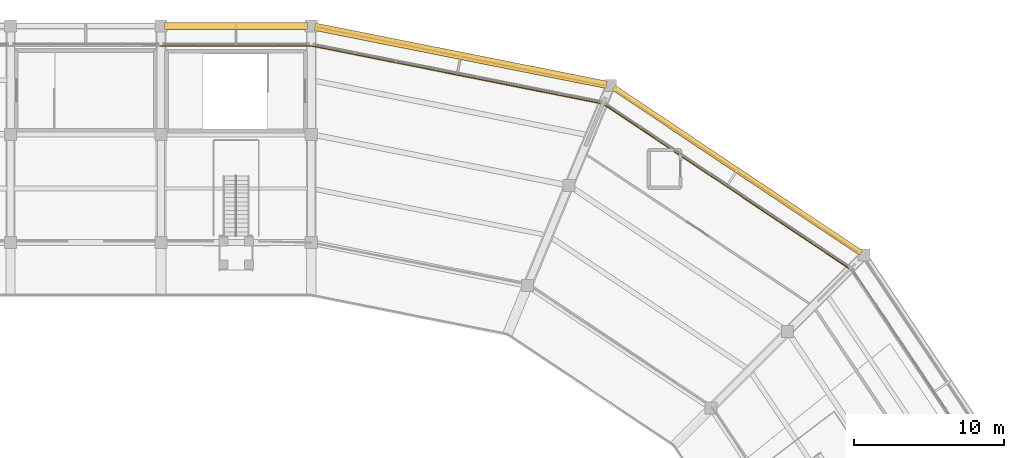
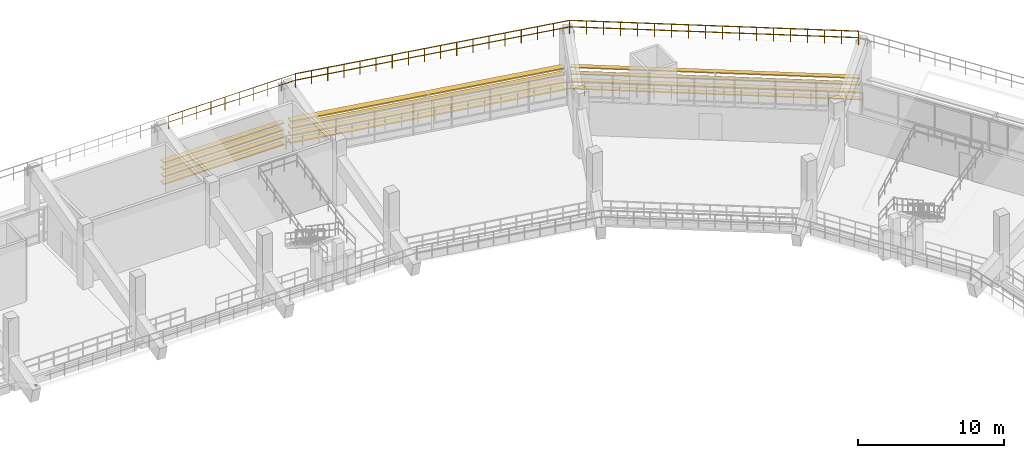
# One storey, part 96 of 96: 12 shading devices, 5 railings.
"""IFC4 building model written with IfcOpenShell, lengths in metres."""

from ifc_helpers import new_model, si_unit, direction, frame, origin, origin_2d, place, context, subcontext, project, spatial, rectangle, circle, extrude, material, layer, layer_set, type_object, element, save


model = new_model("IFC4")

# Units and contexts
model_context = context("Model", 3, precision=1e-05, world=origin(), true_north=direction((0.0, 1.0)))
body_context = subcontext(model_context, "Body", "Model", "MODEL_VIEW")
ifc_project = project(units=[si_unit("LENGTHUNIT", "METRE"), si_unit("AREAUNIT", "SQUARE_METRE"), si_unit("VOLUMEUNIT", "CUBIC_METRE"), si_unit("PLANEANGLEUNIT", "RADIAN"), si_unit("MASSUNIT", "GRAM", prefix="KILO")], contexts=[model_context])

# Site, building, storey
site_placement = place(None, origin())
site = spatial("IfcSite", under=ifc_project, at=site_placement, CompositionType="ELEMENT")
building_placement = place(site_placement, origin())
building = spatial("IfcBuilding", under=site, at=building_placement, Name="Candeia Ridge Stadium", CompositionType="ELEMENT")
storey_placement = place(building_placement, frame((0.0, 0.0, 21.60009765625)))
storey = spatial("IfcBuildingStorey", under=building, at=storey_placement, Name="L04", CompositionType="ELEMENT", Elevation=21.60009765625)

# Railings
ifc_material_1 = material(Name="Galvanized Powder-Coated Steel", Category="steel")
ifc_layer = layer(ifc_material_1, 0.074951171875, Name="Galvanized Powder-Coated Steel", Category="steel")
ifc_layer_set = layer_set([ifc_layer], Name="Galvanized Powder-Coated Steel")
railing_type = type_object("IfcRailingType", Name="Spectator Bowl Front Guardrail 1120", PredefinedType="GUARDRAIL", material=ifc_layer_set)
railing_1_placement = place(storey_placement, frame((141.0, 145.679931640625, 6.0)))
element("IfcRailing", 1, at=railing_1_placement, inside=storey, type_object=railing_type, Name="Stand T3 rear safety guardrail bay 01", PredefinedType="GUARDRAIL", context=body_context, shape_type="SweptSolid", body=[
    extrude(circle(Radius=0.02392578125, at=origin_2d()), frame((0.0, 0.0, 1.09619140625), z_axis=(-1.0, 0.0, 0.0), x_axis=(0.0, -1.0, 0.0)), (0.0, 0.0, 1.0), 10.0),
    extrude(circle(Radius=0.02392578125, at=origin_2d()), frame((0.0, 0.0, 0.56005859375), z_axis=(-1.0, 0.0, 0.0), x_axis=(0.0, -1.0, 0.0)), (0.0, 0.0, 1.0), 10.0),
    extrude(circle(Radius=0.02099609375, at=origin_2d()), origin(), (0.0, 0.0, 1.0), 1.072021484375),
    extrude(circle(Radius=0.02099609375, at=origin_2d()), frame((-1.111083984375, 0.0, 0.0)), (0.0, 0.0, 1.0), 1.072021484375),
    extrude(circle(Radius=0.02099609375, at=origin_2d()), frame((-2.22216796875, 0.0, 0.0)), (0.0, 0.0, 1.0), 1.072021484375),
    extrude(circle(Radius=0.02099609375, at=origin_2d()), frame((-3.333251953125, 0.0, 0.0)), (0.0, 0.0, 1.0), 1.072021484375),
    extrude(circle(Radius=0.02099609375, at=origin_2d()), frame((-4.4443359375, 0.0, 0.0)), (0.0, 0.0, 1.0), 1.072021484375),
    extrude(circle(Radius=0.02099609375, at=origin_2d()), frame((-5.5556640625, 0.0, 0.0)), (0.0, 0.0, 1.0), 1.072021484375),
    extrude(circle(Radius=0.02099609375, at=origin_2d()), frame((-6.666748046875, 0.0, 0.0)), (0.0, 0.0, 1.0), 1.072021484375),
    extrude(circle(Radius=0.02099609375, at=origin_2d()), frame((-7.77783203125, 0.0, 0.0)), (0.0, 0.0, 1.0), 1.072021484375),
    extrude(circle(Radius=0.02099609375, at=origin_2d()), frame((-8.888916015625, 0.0, 0.0)), (0.0, 0.0, 1.0), 1.072021484375),
    extrude(circle(Radius=0.02099609375, at=origin_2d()), frame((-10.0, 0.0, 0.0)), (0.0, 0.0, 1.0), 1.072021484375),
])
railing_2_placement = place(storey_placement, frame((176.836181640625, 130.836181640625, 6.0)))
element("IfcRailing", 2, at=railing_2_placement, inside=storey, type_object=railing_type, Name="Stand T3 rear safety guardrail bay 35", PredefinedType="GUARDRAIL", context=body_context, shape_type="SweptSolid", body=[
    extrude(circle(Radius=0.02392578125, at=origin_2d()), frame((0.0, 0.0, 1.09619140625), z_axis=(-0.831470516544, 0.555568879725, 0.0), x_axis=(-0.555568879725, -0.831470516544, 0.0)), (0.0, 0.0, 1.0), 19.7744140625),
    extrude(circle(Radius=0.02392578125, at=origin_2d()), frame((0.0, 0.0, 0.56005859375), z_axis=(-0.831470516544, 0.555568879725, 0.0), x_axis=(-0.555568879725, -0.831470516544, 0.0)), (0.0, 0.0, 1.0), 19.7744140625),
    extrude(circle(Radius=0.02099609375, at=origin_2d()), origin(), (0.0, 0.0, 1.0), 1.072021484375),
    extrude(circle(Radius=0.02099609375, at=origin_2d()), frame((-0.96728515625, 0.646240234375, 0.0)), (0.0, 0.0, 1.0), 1.072021484375),
    extrude(circle(Radius=0.02099609375, at=origin_2d()), frame((-1.934326171875, 1.29248046875, 0.0)), (0.0, 0.0, 1.0), 1.072021484375),
    extrude(circle(Radius=0.02099609375, at=origin_2d()), frame((-2.901611328125, 1.938720703125, 0.0)), (0.0, 0.0, 1.0), 1.072021484375),
    extrude(circle(Radius=0.02099609375, at=origin_2d()), frame((-3.86865234375, 2.5849609375, 0.0)), (0.0, 0.0, 1.0), 1.072021484375),
    extrude(circle(Radius=0.02099609375, at=origin_2d()), frame((-4.8359375, 3.231201171875, 0.0)), (0.0, 0.0, 1.0), 1.072021484375),
    extrude(circle(Radius=0.02099609375, at=origin_2d()), frame((-5.802978515625, 3.87744140625, 0.0)), (0.0, 0.0, 1.0), 1.072021484375),
    extrude(circle(Radius=0.02099609375, at=origin_2d()), frame((-6.770263671875, 4.523681640625, 0.0)), (0.0, 0.0, 1.0), 1.072021484375),
    extrude(circle(Radius=0.02099609375, at=origin_2d()), frame((-7.7373046875, 5.169921875, 0.0)), (0.0, 0.0, 1.0), 1.072021484375),
    extrude(circle(Radius=0.02099609375, at=origin_2d()), frame((-8.70458984375, 5.816162109375, 0.0)), (0.0, 0.0, 1.0), 1.072021484375),
    extrude(circle(Radius=0.02099609375, at=origin_2d()), frame((-9.671630859375, 6.46240234375, 0.0)), (0.0, 0.0, 1.0), 1.072021484375),
    extrude(circle(Radius=0.02099609375, at=origin_2d()), frame((-10.638916015625, 7.108642578125, 0.0)), (0.0, 0.0, 1.0), 1.072021484375),
    extrude(circle(Radius=0.02099609375, at=origin_2d()), frame((-11.60595703125, 7.7548828125, 0.0)), (0.0, 0.0, 1.0), 1.072021484375),
    extrude(circle(Radius=0.02099609375, at=origin_2d()), frame((-12.5732421875, 8.401123046875, 0.0)), (0.0, 0.0, 1.0), 1.072021484375),
    extrude(circle(Radius=0.02099609375, at=origin_2d()), frame((-13.540283203125, 9.04736328125, 0.0)), (0.0, 0.0, 1.0), 1.072021484375),
    extrude(circle(Radius=0.02099609375, at=origin_2d()), frame((-14.507568359375, 9.693603515625, 0.0)), (0.0, 0.0, 1.0), 1.072021484375),
    extrude(circle(Radius=0.02099609375, at=origin_2d()), frame((-15.474609375, 10.33984375, 0.0)), (0.0, 0.0, 1.0), 1.072021484375),
    extrude(circle(Radius=0.02099609375, at=origin_2d()), frame((-16.44189453125, 10.986083984375, 0.0)), (0.0, 0.0, 1.0), 1.072021484375),
])
railing_3_placement = place(storey_placement, frame((160.394287109375, 141.822265625, 6.0)))
element("IfcRailing", 3, at=railing_3_placement, inside=storey, type_object=railing_type, Name="Stand T3 rear safety guardrail bay 36", PredefinedType="GUARDRAIL", context=body_context, shape_type="SweptSolid", body=[
    extrude(circle(Radius=0.02392578125, at=origin_2d()), frame((0.0, 0.0, 1.09619140625), z_axis=(-0.980786224287, 0.195085576731, 0.0), x_axis=(-0.195085576731, -0.980786224287, 0.0)), (0.0, 0.0, 1.0), 19.774169921875),
    extrude(circle(Radius=0.02392578125, at=origin_2d()), frame((0.0, 0.0, 0.56005859375), z_axis=(-0.980786224287, 0.195085576731, 0.0), x_axis=(-0.195085576731, -0.980786224287, 0.0)), (0.0, 0.0, 1.0), 19.774169921875),
    extrude(circle(Radius=0.02099609375, at=origin_2d()), origin(), (0.0, 0.0, 1.0), 1.072021484375),
    extrude(circle(Radius=0.02099609375, at=origin_2d()), frame((-1.140869140625, 0.226806640625, 0.0)), (0.0, 0.0, 1.0), 1.072021484375),
    extrude(circle(Radius=0.02099609375, at=origin_2d()), frame((-2.28173828125, 0.453857421875, 0.0)), (0.0, 0.0, 1.0), 1.072021484375),
    extrude(circle(Radius=0.02099609375, at=origin_2d()), frame((-3.422607421875, 0.6806640625, 0.0)), (0.0, 0.0, 1.0), 1.072021484375),
    extrude(circle(Radius=0.02099609375, at=origin_2d()), frame((-4.5634765625, 0.90771484375, 0.0)), (0.0, 0.0, 1.0), 1.072021484375),
    extrude(circle(Radius=0.02099609375, at=origin_2d()), frame((-5.7041015625, 1.134521484375, 0.0)), (0.0, 0.0, 1.0), 1.072021484375),
    extrude(circle(Radius=0.02099609375, at=origin_2d()), frame((-6.844970703125, 1.361572265625, 0.0)), (0.0, 0.0, 1.0), 1.072021484375),
    extrude(circle(Radius=0.02099609375, at=origin_2d()), frame((-7.98583984375, 1.58837890625, 0.0)), (0.0, 0.0, 1.0), 1.072021484375),
    extrude(circle(Radius=0.02099609375, at=origin_2d()), frame((-9.126708984375, 1.8154296875, 0.0)), (0.0, 0.0, 1.0), 1.072021484375),
    extrude(circle(Radius=0.02099609375, at=origin_2d()), frame((-10.267578125, 2.042236328125, 0.0)), (0.0, 0.0, 1.0), 1.072021484375),
    extrude(circle(Radius=0.02099609375, at=origin_2d()), frame((-11.408447265625, 2.269287109375, 0.0)), (0.0, 0.0, 1.0), 1.072021484375),
    extrude(circle(Radius=0.02099609375, at=origin_2d()), frame((-12.54931640625, 2.49609375, 0.0)), (0.0, 0.0, 1.0), 1.072021484375),
    extrude(circle(Radius=0.02099609375, at=origin_2d()), frame((-13.690185546875, 2.72314453125, 0.0)), (0.0, 0.0, 1.0), 1.072021484375),
    extrude(circle(Radius=0.02099609375, at=origin_2d()), frame((-14.830810546875, 2.949951171875, 0.0)), (0.0, 0.0, 1.0), 1.072021484375),
    extrude(circle(Radius=0.02099609375, at=origin_2d()), frame((-15.9716796875, 3.177001953125, 0.0)), (0.0, 0.0, 1.0), 1.072021484375),
    extrude(circle(Radius=0.02099609375, at=origin_2d()), frame((-17.112548828125, 3.40380859375, 0.0)), (0.0, 0.0, 1.0), 1.072021484375),
    extrude(circle(Radius=0.02099609375, at=origin_2d()), frame((-18.25341796875, 3.630859375, 0.0)), (0.0, 0.0, 1.0), 1.072021484375),
    extrude(circle(Radius=0.02099609375, at=origin_2d()), frame((-19.394287109375, 3.857666015625, 0.0)), (0.0, 0.0, 1.0), 1.072021484375),
])
railing_4_placement = place(storey_placement, frame((141.0, 147.0, 0.0)))
element("IfcRailing", 4, at=railing_4_placement, inside=storey, type_object=railing_type, Name="Deck edge safety guardrail GR-DE-L04-0194", PredefinedType="GUARDRAIL", context=body_context, shape_type="SweptSolid", body=[
    extrude(circle(Radius=0.02392578125, at=origin_2d()), frame((0.0, 0.0, 1.09619140625), z_axis=(0.980065630678, -0.198674003238, 0.0), x_axis=(0.198674003238, 0.980065630678, 0.0)), (0.0, 0.0, 1.0), 20.2587890625),
    extrude(circle(Radius=0.02392578125, at=origin_2d()), frame((0.0, 0.0, 0.56005859375), z_axis=(0.980065630678, -0.198674003238, 0.0), x_axis=(0.198674003238, 0.980065630678, 0.0)), (0.0, 0.0, 1.0), 20.2587890625),
    extrude(circle(Radius=0.02099609375, at=origin_2d()), origin(), (0.0, 0.0, 1.0), 1.072021484375),
    extrude(circle(Radius=0.02099609375, at=origin_2d()), frame((1.16796875, -0.23681640625, 0.0)), (0.0, 0.0, 1.0), 1.072021484375),
    extrude(circle(Radius=0.02099609375, at=origin_2d()), frame((2.3359375, -0.4736328125, 0.0)), (0.0, 0.0, 1.0), 1.072021484375),
    extrude(circle(Radius=0.02099609375, at=origin_2d()), frame((3.50390625, -0.710205078125, 0.0)), (0.0, 0.0, 1.0), 1.072021484375),
    extrude(circle(Radius=0.02099609375, at=origin_2d()), frame((4.671875, -0.947021484375, 0.0)), (0.0, 0.0, 1.0), 1.072021484375),
    extrude(circle(Radius=0.02099609375, at=origin_2d()), frame((5.839599609375, -1.183837890625, 0.0)), (0.0, 0.0, 1.0), 1.072021484375),
    extrude(circle(Radius=0.02099609375, at=origin_2d()), frame((7.007568359375, -1.420654296875, 0.0)), (0.0, 0.0, 1.0), 1.072021484375),
    extrude(circle(Radius=0.02099609375, at=origin_2d()), frame((8.175537109375, -1.6572265625, 0.0)), (0.0, 0.0, 1.0), 1.072021484375),
    extrude(circle(Radius=0.02099609375, at=origin_2d()), frame((9.343505859375, -1.89404296875, 0.0)), (0.0, 0.0, 1.0), 1.072021484375),
    extrude(circle(Radius=0.02099609375, at=origin_2d()), frame((10.511474609375, -2.130859375, 0.0)), (0.0, 0.0, 1.0), 1.072021484375),
    extrude(circle(Radius=0.02099609375, at=origin_2d()), frame((11.679443359375, -2.36767578125, 0.0)), (0.0, 0.0, 1.0), 1.072021484375),
    extrude(circle(Radius=0.02099609375, at=origin_2d()), frame((12.847412109375, -2.604248046875, 0.0)), (0.0, 0.0, 1.0), 1.072021484375),
    extrude(circle(Radius=0.02099609375, at=origin_2d()), frame((14.015380859375, -2.841064453125, 0.0)), (0.0, 0.0, 1.0), 1.072021484375),
    extrude(circle(Radius=0.02099609375, at=origin_2d()), frame((15.18310546875, -3.077880859375, 0.0)), (0.0, 0.0, 1.0), 1.072021484375),
    extrude(circle(Radius=0.02099609375, at=origin_2d()), frame((16.35107421875, -3.314697265625, 0.0)), (0.0, 0.0, 1.0), 1.072021484375),
    extrude(circle(Radius=0.02099609375, at=origin_2d()), frame((17.51904296875, -3.55126953125, 0.0)), (0.0, 0.0, 1.0), 1.072021484375),
    extrude(circle(Radius=0.02099609375, at=origin_2d()), frame((18.68701171875, -3.7880859375, 0.0)), (0.0, 0.0, 1.0), 1.072021484375),
    extrude(circle(Radius=0.02099609375, at=origin_2d()), frame((19.85498046875, -4.02490234375, 0.0)), (0.0, 0.0, 1.0), 1.072021484375),
])
railing_5_placement = place(storey_placement, frame((160.85498046875, 142.97509765625, 0.0)))
element("IfcRailing", 5, at=railing_5_placement, inside=storey, type_object=railing_type, Name="Deck edge safety guardrail GR-DE-L04-0195", PredefinedType="GUARDRAIL", context=body_context, shape_type="SweptSolid", body=[
    extrude(circle(Radius=0.02392578125, at=origin_2d()), frame((0.0, 0.0, 1.09619140625), z_axis=(0.831642188082, -0.555311868234, 0.0), x_axis=(0.555311868234, 0.831642188082, 0.0)), (0.0, 0.0, 1.0), 20.2587890625),
    extrude(circle(Radius=0.02392578125, at=origin_2d()), frame((0.0, 0.0, 0.56005859375), z_axis=(0.831642188082, -0.555311868234, 0.0), x_axis=(0.555311868234, 0.831642188082, 0.0)), (0.0, 0.0, 1.0), 20.2587890625),
    extrude(circle(Radius=0.02099609375, at=origin_2d()), origin(), (0.0, 0.0, 1.0), 1.072021484375),
    extrude(circle(Radius=0.02099609375, at=origin_2d()), frame((0.990966796875, -0.661865234375, 0.0)), (0.0, 0.0, 1.0), 1.072021484375),
    extrude(circle(Radius=0.02099609375, at=origin_2d()), frame((1.982177734375, -1.323486328125, 0.0)), (0.0, 0.0, 1.0), 1.072021484375),
    extrude(circle(Radius=0.02099609375, at=origin_2d()), frame((2.97314453125, -1.9853515625, 0.0)), (0.0, 0.0, 1.0), 1.072021484375),
    extrude(circle(Radius=0.02099609375, at=origin_2d()), frame((3.96435546875, -2.64697265625, 0.0)), (0.0, 0.0, 1.0), 1.072021484375),
    extrude(circle(Radius=0.02099609375, at=origin_2d()), frame((4.955322265625, -3.308837890625, 0.0)), (0.0, 0.0, 1.0), 1.072021484375),
    extrude(circle(Radius=0.02099609375, at=origin_2d()), frame((5.9462890625, -3.970703125, 0.0)), (0.0, 0.0, 1.0), 1.072021484375),
    extrude(circle(Radius=0.02099609375, at=origin_2d()), frame((6.9375, -4.63232421875, 0.0)), (0.0, 0.0, 1.0), 1.072021484375),
    extrude(circle(Radius=0.02099609375, at=origin_2d()), frame((7.928466796875, -5.294189453125, 0.0)), (0.0, 0.0, 1.0), 1.072021484375),
    extrude(circle(Radius=0.02099609375, at=origin_2d()), frame((8.919677734375, -5.955810546875, 0.0)), (0.0, 0.0, 1.0), 1.072021484375),
    extrude(circle(Radius=0.02099609375, at=origin_2d()), frame((9.91064453125, -6.61767578125, 0.0)), (0.0, 0.0, 1.0), 1.072021484375),
    extrude(circle(Radius=0.02099609375, at=origin_2d()), frame((10.90185546875, -7.279296875, 0.0)), (0.0, 0.0, 1.0), 1.072021484375),
    extrude(circle(Radius=0.02099609375, at=origin_2d()), frame((11.892822265625, -7.941162109375, 0.0)), (0.0, 0.0, 1.0), 1.072021484375),
    extrude(circle(Radius=0.02099609375, at=origin_2d()), frame((12.8837890625, -8.60302734375, 0.0)), (0.0, 0.0, 1.0), 1.072021484375),
    extrude(circle(Radius=0.02099609375, at=origin_2d()), frame((13.875, -9.2646484375, 0.0)), (0.0, 0.0, 1.0), 1.072021484375),
    extrude(circle(Radius=0.02099609375, at=origin_2d()), frame((14.865966796875, -9.926513671875, 0.0)), (0.0, 0.0, 1.0), 1.072021484375),
    extrude(circle(Radius=0.02099609375, at=origin_2d()), frame((15.857177734375, -10.588134765625, 0.0)), (0.0, 0.0, 1.0), 1.072021484375),
    extrude(circle(Radius=0.02099609375, at=origin_2d()), frame((16.84814453125, -11.25, 0.0)), (0.0, 0.0, 1.0), 1.072021484375),
])

# Shading devices
ifc_material_2 = material(Name="Aluminium Anodized Warm Bronze", Category="aluminium")
shading_device_type_1 = type_object("IfcShadingDeviceType", Name="Weathered Bronze Horizontal Solar Rib 380x85", PredefinedType="JALOUSIE", material=ifc_material_2)
for number, where, z_axis, x_axis, name in (
    (6, (169.33447265625, 137.40576171875, 0.5673828125), (0.0, 0.0, 1.0), (-0.831469626973, 0.555570211063, 0.0), "Weathered bronze horizontal solar rib L04 bay 35-1"),
    (7, (169.33447265625, 137.40576171875, 1.17724609375), (0.0, 0.0, 1.0), (-0.831469626973, 0.555570211063, 0.0), "Weathered bronze horizontal solar rib L04 bay 35-2"),
    (8, (169.33447265625, 137.40576171875, 1.787109375), (0.0, 0.0, 1.0), (-0.831469626973, 0.555570211063, 0.0), "Weathered bronze horizontal solar rib L04 bay 35-3"),
    (9, (169.33447265625, 137.40576171875, 2.341552734375), (0.0, 0.0, 1.0), (-0.831469626973, 0.555570211063, 0.0), "Weathered bronze horizontal solar rib L04 bay 35-4"),
):
    element("IfcShadingDevice", number, at=place(storey_placement, frame(where, z_axis=z_axis, x_axis=x_axis)), inside=storey, type_object=shading_device_type_1, Name=name, PredefinedType="JALOUSIE", context=body_context, shape_type="SweptSolid", body=[
        extrude(rectangle(XDim=19.789306640625, YDim=0.3798828125, at=origin_2d()), origin(), (0.0, 0.0, 1.0), 0.0849609375),
    ])
shading_device_type_2 = type_object("IfcShadingDeviceType", Name="Weathered Bronze Horizontal Solar Rib 440x95", PredefinedType="JALOUSIE", material=ifc_material_2)
for number, where, z_axis, x_axis, name in (
    (10, (136.0, 147.0, 0.5625), (0.0, 0.0, 1.0), (-1.0, 0.0, 0.0), "Weathered bronze horizontal solar rib L04 bay 01-1"),
    (11, (136.0, 147.0, 1.17236328125), (0.0, 0.0, 1.0), (-1.0, 0.0, 0.0), "Weathered bronze horizontal solar rib L04 bay 01-2"),
    (12, (136.0, 147.0, 1.7822265625), (0.0, 0.0, 1.0), (-1.0, 0.0, 0.0), "Weathered bronze horizontal solar rib L04 bay 01-3"),
    (13, (136.0, 147.0, 2.33642578125), (0.0, 0.0, 1.0), (-1.0, 0.0, 0.0), "Weathered bronze horizontal solar rib L04 bay 01-4"),
):
    element("IfcShadingDevice", number, at=place(storey_placement, frame(where, z_axis=z_axis, x_axis=x_axis)), inside=storey, type_object=shading_device_type_2, Name=name, PredefinedType="JALOUSIE", context=body_context, shape_type="SweptSolid", body=[
        extrude(rectangle(XDim=9.5, YDim=0.43994140625, at=origin_2d()), origin(), (0.0, 0.0, 1.0), 0.094970703125),
    ])
shading_device_type_3 = type_object("IfcShadingDeviceType", Name="Weathered Bronze Horizontal Solar Rib 500x105", PredefinedType="JALOUSIE", material=ifc_material_2)
for number, where, z_axis, x_axis, name in (
    (14, (150.94970703125, 145.020751953125, 0.557373046875), (0.0, 0.0, 1.0), (-0.980785282416, 0.195090311899, 0.0), "Weathered bronze horizontal solar rib L04 bay 36-1"),
    (15, (150.94970703125, 145.020751953125, 1.167236328125), (0.0, 0.0, 1.0), (-0.980785282416, 0.195090311899, 0.0), "Weathered bronze horizontal solar rib L04 bay 36-2"),
    (16, (150.94970703125, 145.020751953125, 1.777099609375), (0.0, 0.0, 1.0), (-0.980785282416, 0.195090311899, 0.0), "Weathered bronze horizontal solar rib L04 bay 36-3"),
    (17, (150.94970703125, 145.020751953125, 2.33154296875), (0.0, 0.0, 1.0), (-0.980785282416, 0.195090311899, 0.0), "Weathered bronze horizontal solar rib L04 bay 36-4"),
):
    element("IfcShadingDevice", number, at=place(storey_placement, frame(where, z_axis=z_axis, x_axis=x_axis)), inside=storey, type_object=shading_device_type_3, Name=name, PredefinedType="JALOUSIE", context=body_context, shape_type="SweptSolid", body=[
        extrude(rectangle(XDim=19.789306640625, YDim=0.5, at=origin_2d()), origin(), (0.0, 0.0, 1.0), 0.10498046875),
    ])

save(model, "model.ifc")
